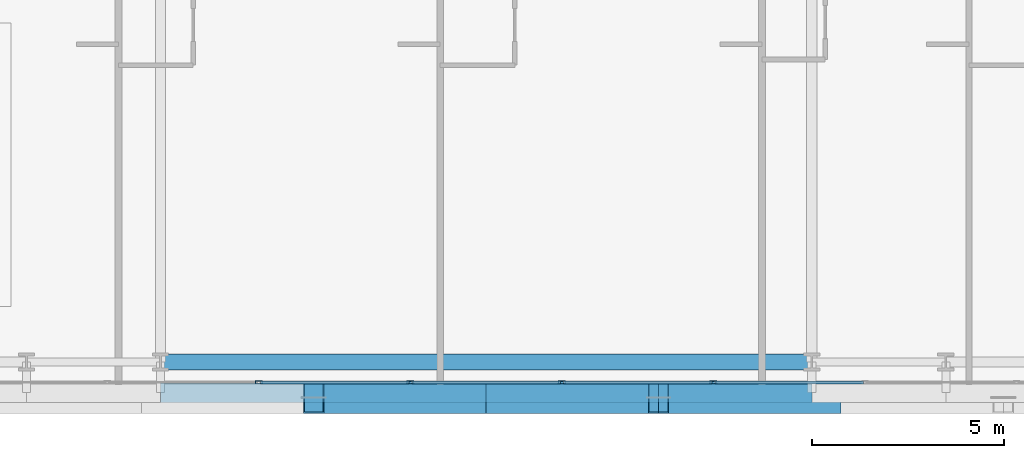
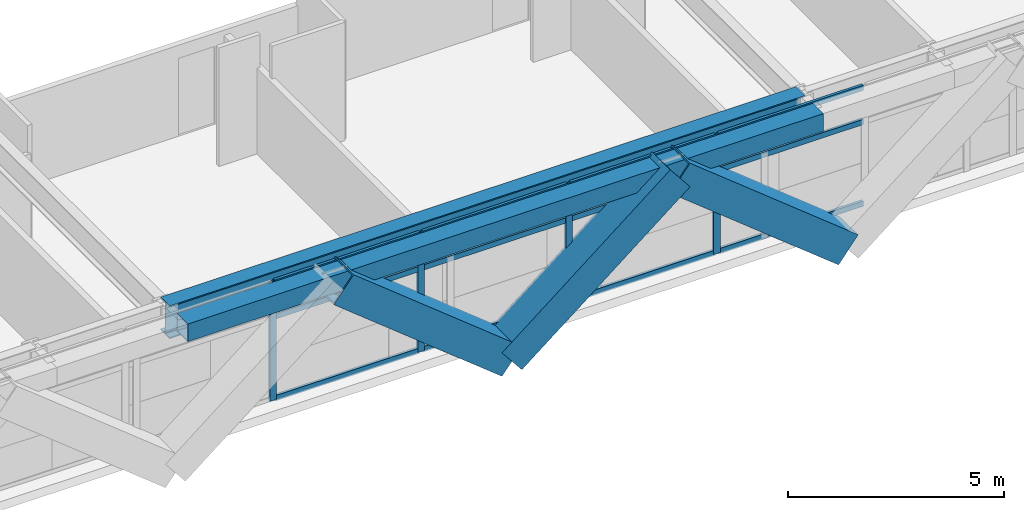
# One storey, part 5 of 35: 19 members, 2 beams, 1 element without a shape of its own.
"""IFC4 building model written with IfcOpenShell, lengths in metres."""

from ifc_helpers import new_model, si_unit, direction, frame, origin, origin_2d, place, context, subcontext, project, spatial, hollow_rectangle, i_section, extrude, source, transform, mapped, material, layer, layer_set, material_profile, profile_set, type_object, element, aggregate, save


model = new_model("IFC4")

# Units and contexts
model_context = context("Model", 3, precision=1e-05, world=origin(), true_north=direction((0.0, 1.0)))
body_context = subcontext(model_context, "Body", "Model", "MODEL_VIEW")
ifc_project = project(units=[si_unit("LENGTHUNIT", "METRE"), si_unit("AREAUNIT", "SQUARE_METRE"), si_unit("VOLUMEUNIT", "CUBIC_METRE"), si_unit("PLANEANGLEUNIT", "RADIAN"), si_unit("MASSUNIT", "GRAM", prefix="KILO")], contexts=[model_context])

# Site, building, storey
site_placement = place(None, origin())
site = spatial("IfcSite", under=ifc_project, at=site_placement, CompositionType="ELEMENT")
building_placement = place(site_placement, origin())
building = spatial("IfcBuilding", under=site, at=building_placement, Name="Ocotamira Hotel", CompositionType="ELEMENT")
storey_placement = place(building_placement, frame((0.0, 0.0, 63.60009765625)))
storey = spatial("IfcBuildingStorey", under=building, at=storey_placement, Name="L15", CompositionType="ELEMENT", Elevation=63.60009765625)

# Beams
ifc_material_1 = material(Name="Steel ASTM A992 Grade 50", Category="steel")
ifc_material_profile_1 = material_profile(ifc_material_1, i_section(OverallWidth=0.41796875, OverallDepth=0.927001953125, WebThickness=0.019287109375, FlangeThickness=0.031982421875, FilletRadius=0.02392578125, at=origin_2d()), Name="W36X231")
ifc_profile_set_1 = profile_set([ifc_material_profile_1], Name="Steel ASTM A992 Grade 50")
beam_type_1 = type_object("IfcBeamType", Name="BM-GIRD-W36X231", PredefinedType="BEAM", material=ifc_profile_set_1)
shared_shape_1 = source(origin(), body_context, "Body", "SweptSolid", [
    extrude(i_section(OverallWidth=0.41796875, OverallDepth=0.927001953125, WebThickness=0.019287109375, FlangeThickness=0.031982421875, FilletRadius=0.02392578125, at=origin_2d()), origin(), (0.0, 0.0, 1.0), 17.0),
])
beam_1_placement = place(storey_placement, frame((23.5, 2.949951171875, 2.886474609375), z_axis=(1.0, 0.0, 0.0), x_axis=(0.0, 1.0, 0.0)))
element("IfcBeam", 1, at=beam_1_placement, inside=storey, type_object=beam_type_1, Name="L15 Girder Y2.95 X23.5-40.5", PredefinedType="BEAM", context=body_context, shape_type="MappedRepresentation", body=[
    mapped(shared_shape_1, transform((0.0, 0.0, 0.0), scale=1.0)),
])
ifc_material_2 = material(Name="Steel ASTM A500 Grade C", Category="steel")
ifc_material_profile_2 = material_profile(ifc_material_2, hollow_rectangle(XDim=0.5, YDim=0.5, WallThickness=0.02001953125, at=origin_2d()), Name="HSS500X500X20")
ifc_profile_set_2 = profile_set([ifc_material_profile_2], Name="Steel ASTM A500 Grade C")
beam_type_2 = type_object("IfcBeamType", Name="BM-SPAN-HSS500", PredefinedType="USERDEFINED", material=ifc_profile_set_2)
shared_shape_2 = source(origin(), body_context, "Body", "SweptSolid", [
    extrude(hollow_rectangle(XDim=0.5, YDim=0.5, WallThickness=0.02001953125, at=origin_2d()), origin(), (0.0, 0.0, 1.0), 17.0),
])
beam_2_placement = place(storey_placement, frame((23.5, 2.14990234375, 3.099853515625), z_axis=(1.0, 0.0, 0.0), x_axis=(0.0, 1.0, 0.0)))
element("IfcBeam", 2, at=beam_2_placement, inside=storey, type_object=beam_type_2, Name="L15 Edge Spandrel S X23.5-40.5", ObjectType="SPANDREL", PredefinedType="USERDEFINED", context=body_context, shape_type="MappedRepresentation", body=[
    mapped(shared_shape_2, transform((0.0, 0.0, 0.0), scale=1.0)),
])

# Members
ifc_material_3 = material(Name="Pale-metal coated steel ASTM A913 Grade 65", Category="steel")
ifc_material_profile_3 = material_profile(ifc_material_3, hollow_rectangle(XDim=0.85009765625, YDim=0.85009765625, WallThickness=0.035888671875, at=origin_2d()), Name="BOX850X850X36")
ifc_profile_set_3 = profile_set([ifc_material_profile_3], Name="Pale-metal coated steel ASTM A913 Grade 65")
member_type_1 = type_object("IfcMemberType", Name="MEM-EXO-BOX850", PredefinedType="BRACE", material=ifc_profile_set_3)
shared_shape_3 = source(origin(), body_context, "Body", "SweptSolid", [
    extrude(hollow_rectangle(XDim=0.85009765625, YDim=0.85009765625, WallThickness=0.035888671875, at=origin_2d()), origin(), (0.0, 0.0, 1.0), 5.7626953125),
])
for number, where, z_axis, x_axis, name in (
    (3, (32.0, 2.030029296875, -0.5), (-0.780881208953, 0.0, 0.624679547852), (0.0, -1.0, 0.0), "L15 Exoskeleton Diagrid S1.2"),
    (4, (32.0, 2.030029296875, -0.5), (0.780881208953, 0.0, 0.624679547852), (0.0, 1.0, 0.0), "L15 Exoskeleton Diagrid S2.1"),
    (5, (41.0, 2.030029296875, -0.5), (-0.780881208953, 0.0, 0.624679547852), (0.0, -1.0, 0.0), "L15 Exoskeleton Diagrid S2.2"),
):
    element("IfcMember", number, at=place(storey_placement, frame(where, z_axis=z_axis, x_axis=x_axis)), inside=storey, type_object=member_type_1, Name=name, PredefinedType="BRACE", context=body_context, shape_type="MappedRepresentation", body=[
        mapped(shared_shape_3, transform((0.0, 0.0, 0.0), scale=1.0)),
    ])

# Curtain wall, members
ifc_material_4 = material(Name="Anodised pale-metal aluminium and solar glass", Category="aluminium")
ifc_layer = layer(ifc_material_4, 0.179931640625)
ifc_layer_set = layer_set([ifc_layer], Name="Anodised pale-metal aluminium and solar glass")
curtain_wall_type = type_object("IfcCurtainWallType", Name="CW-SYS2-Z1", PredefinedType="NOTDEFINED", material=ifc_layer_set)
curtain_wall_placement = place(storey_placement, origin())
curtain_wall = element("IfcCurtainWall", 6, at=curtain_wall_placement, inside=storey, type_object=curtain_wall_type, Name="L15 Curtain Wall CW-2 CW-L15-S1", PredefinedType="NOTDEFINED")
ifc_material_5 = material(Name="Anodised pale-metal aluminium 6063-T6", Category="aluminium")
ifc_material_profile_4 = material_profile(ifc_material_5, hollow_rectangle(XDim=0.080078125, YDim=0.179931640625, WallThickness=0.006103515625, at=origin_2d()), Name="HSS180X80X6")
ifc_profile_set_4 = profile_set([ifc_material_profile_4], Name="Anodised pale-metal aluminium 6063-T6")
member_type_2 = type_object("IfcMemberType", Name="CWM-180X75", PredefinedType="MULLION", material=ifc_profile_set_4)
shared_shape_4 = source(origin(), body_context, "Body", "SweptSolid", [
    extrude(hollow_rectangle(XDim=0.080078125, YDim=0.179931640625, WallThickness=0.006103515625, at=origin_2d()), origin(), (0.0, 0.0, 1.0), 3.349853515625),
])
member_1_placement = place(storey_placement, frame((26.066650390625, 2.419921875, 0.0), z_axis=(0.0, 0.0, 1.0), x_axis=(0.0, 1.0, 0.0)))
member_1 = element("IfcMember", 7, at=member_1_placement, type_object=member_type_2, Name="CW-2 mullion 4", PredefinedType="MULLION", context=body_context, shape_type="MappedRepresentation", body=[
    mapped(shared_shape_4, transform((0.0, 0.0, 0.0), scale=1.0)),
])
member_2_placement = place(storey_placement, frame((30.022216796875, 2.419921875, 0.0), z_axis=(0.0, 0.0, 1.0), x_axis=(0.0, 1.0, 0.0)))
member_2 = element("IfcMember", 8, at=member_2_placement, type_object=member_type_2, Name="CW-2 mullion 5", PredefinedType="MULLION", context=body_context, shape_type="MappedRepresentation", body=[
    mapped(shared_shape_4, transform((0.0, 0.0, 0.0), scale=1.0)),
])
member_3_placement = place(storey_placement, frame((33.977783203125, 2.419921875, 0.0), z_axis=(0.0, 0.0, 1.0), x_axis=(0.0, 1.0, 0.0)))
member_3 = element("IfcMember", 9, at=member_3_placement, type_object=member_type_2, Name="CW-2 mullion 6", PredefinedType="MULLION", context=body_context, shape_type="MappedRepresentation", body=[
    mapped(shared_shape_4, transform((0.0, 0.0, 0.0), scale=1.0)),
])
member_4_placement = place(storey_placement, frame((37.933349609375, 2.419921875, 0.0), z_axis=(0.0, 0.0, 1.0), x_axis=(0.0, 1.0, 0.0)))
member_4 = element("IfcMember", 10, at=member_4_placement, type_object=member_type_2, Name="CW-2 mullion 7", PredefinedType="MULLION", context=body_context, shape_type="MappedRepresentation", body=[
    mapped(shared_shape_4, transform((0.0, 0.0, 0.0), scale=1.0)),
])
ifc_material_profile_5 = material_profile(ifc_material_5, hollow_rectangle(XDim=0.074951171875, YDim=0.14990234375, WallThickness=0.006103515625, at=origin_2d()), Name="HSS150X75X6")
ifc_profile_set_5 = profile_set([ifc_material_profile_5], Name="Anodised pale-metal aluminium 6063-T6")
member_type_3 = type_object("IfcMemberType", Name="CWT-150X75", PredefinedType="USERDEFINED", material=ifc_profile_set_5)
shared_shape_5 = source(origin(), body_context, "Body", "SweptSolid", [
    extrude(hollow_rectangle(XDim=0.074951171875, YDim=0.14990234375, WallThickness=0.006103515625, at=origin_2d()), origin(), (0.0, 0.0, 1.0), 3.87548828125),
])
member_5_placement = place(storey_placement, frame((26.106689453125, 2.419921875, 0.037353515625), z_axis=(1.0, 0.0, 0.0), x_axis=(0.0, 1.0, 0.0)))
member_5 = element("IfcMember", 11, at=member_5_placement, type_object=member_type_3, Name="CW-2 transom 4.1", ObjectType="TRANSOM", PredefinedType="USERDEFINED", context=body_context, shape_type="MappedRepresentation", body=[
    mapped(shared_shape_5, transform((0.0, 0.0, 0.0), scale=1.0)),
])
member_6_placement = place(storey_placement, frame((26.106689453125, 2.419921875, 2.349853515625), z_axis=(1.0, 0.0, 0.0), x_axis=(0.0, 1.0, 0.0)))
member_6 = element("IfcMember", 12, at=member_6_placement, type_object=member_type_3, Name="CW-2 transom 4.2", ObjectType="TRANSOM", PredefinedType="USERDEFINED", context=body_context, shape_type="MappedRepresentation", body=[
    mapped(shared_shape_5, transform((0.0, 0.0, 0.0), scale=1.0)),
])
member_7_placement = place(storey_placement, frame((26.106689453125, 2.419921875, 3.3125), z_axis=(1.0, 0.0, 0.0), x_axis=(0.0, 1.0, 0.0)))
member_7 = element("IfcMember", 13, at=member_7_placement, type_object=member_type_3, Name="CW-2 transom 4.3", ObjectType="TRANSOM", PredefinedType="USERDEFINED", context=body_context, shape_type="MappedRepresentation", body=[
    mapped(shared_shape_5, transform((0.0, 0.0, 0.0), scale=1.0)),
])
member_8_placement = place(storey_placement, frame((30.062255859375, 2.419921875, 0.037353515625), z_axis=(1.0, 0.0, 0.0), x_axis=(0.0, 1.0, 0.0)))
member_8 = element("IfcMember", 14, at=member_8_placement, type_object=member_type_3, Name="CW-2 transom 5.1", ObjectType="TRANSOM", PredefinedType="USERDEFINED", context=body_context, shape_type="MappedRepresentation", body=[
    mapped(shared_shape_5, transform((0.0, 0.0, 0.0), scale=1.0)),
])
member_9_placement = place(storey_placement, frame((30.062255859375, 2.419921875, 2.349853515625), z_axis=(1.0, 0.0, 0.0), x_axis=(0.0, 1.0, 0.0)))
member_9 = element("IfcMember", 15, at=member_9_placement, type_object=member_type_3, Name="CW-2 transom 5.2", ObjectType="TRANSOM", PredefinedType="USERDEFINED", context=body_context, shape_type="MappedRepresentation", body=[
    mapped(shared_shape_5, transform((0.0, 0.0, 0.0), scale=1.0)),
])
member_10_placement = place(storey_placement, frame((30.062255859375, 2.419921875, 3.3125), z_axis=(1.0, 0.0, 0.0), x_axis=(0.0, 1.0, 0.0)))
member_10 = element("IfcMember", 16, at=member_10_placement, type_object=member_type_3, Name="CW-2 transom 5.3", ObjectType="TRANSOM", PredefinedType="USERDEFINED", context=body_context, shape_type="MappedRepresentation", body=[
    mapped(shared_shape_5, transform((0.0, 0.0, 0.0), scale=1.0)),
])
member_11_placement = place(storey_placement, frame((34.017822265625, 2.419921875, 0.037353515625), z_axis=(1.0, 0.0, 0.0), x_axis=(0.0, 1.0, 0.0)))
member_11 = element("IfcMember", 17, at=member_11_placement, type_object=member_type_3, Name="CW-2 transom 6.1", ObjectType="TRANSOM", PredefinedType="USERDEFINED", context=body_context, shape_type="MappedRepresentation", body=[
    mapped(shared_shape_5, transform((0.0, 0.0, 0.0), scale=1.0)),
])
member_12_placement = place(storey_placement, frame((34.017822265625, 2.419921875, 2.349853515625), z_axis=(1.0, 0.0, 0.0), x_axis=(0.0, 1.0, 0.0)))
member_12 = element("IfcMember", 18, at=member_12_placement, type_object=member_type_3, Name="CW-2 transom 6.2", ObjectType="TRANSOM", PredefinedType="USERDEFINED", context=body_context, shape_type="MappedRepresentation", body=[
    mapped(shared_shape_5, transform((0.0, 0.0, 0.0), scale=1.0)),
])
member_13_placement = place(storey_placement, frame((34.017822265625, 2.419921875, 3.3125), z_axis=(1.0, 0.0, 0.0), x_axis=(0.0, 1.0, 0.0)))
member_13 = element("IfcMember", 19, at=member_13_placement, type_object=member_type_3, Name="CW-2 transom 6.3", ObjectType="TRANSOM", PredefinedType="USERDEFINED", context=body_context, shape_type="MappedRepresentation", body=[
    mapped(shared_shape_5, transform((0.0, 0.0, 0.0), scale=1.0)),
])
member_14_placement = place(storey_placement, frame((37.973388671875, 2.419921875, 0.037353515625), z_axis=(1.0, 0.0, 0.0), x_axis=(0.0, 1.0, 0.0)))
member_14 = element("IfcMember", 20, at=member_14_placement, type_object=member_type_3, Name="CW-2 transom 7.1", ObjectType="TRANSOM", PredefinedType="USERDEFINED", context=body_context, shape_type="MappedRepresentation", body=[
    mapped(shared_shape_5, transform((0.0, 0.0, 0.0), scale=1.0)),
])
member_15_placement = place(storey_placement, frame((37.973388671875, 2.419921875, 2.349853515625), z_axis=(1.0, 0.0, 0.0), x_axis=(0.0, 1.0, 0.0)))
member_15 = element("IfcMember", 21, at=member_15_placement, type_object=member_type_3, Name="CW-2 transom 7.2", ObjectType="TRANSOM", PredefinedType="USERDEFINED", context=body_context, shape_type="MappedRepresentation", body=[
    mapped(shared_shape_5, transform((0.0, 0.0, 0.0), scale=1.0)),
])
member_16_placement = place(storey_placement, frame((37.973388671875, 2.419921875, 3.3125), z_axis=(1.0, 0.0, 0.0), x_axis=(0.0, 1.0, 0.0)))
member_16 = element("IfcMember", 22, at=member_16_placement, type_object=member_type_3, Name="CW-2 transom 7.3", ObjectType="TRANSOM", PredefinedType="USERDEFINED", context=body_context, shape_type="MappedRepresentation", body=[
    mapped(shared_shape_5, transform((0.0, 0.0, 0.0), scale=1.0)),
])
aggregate(curtain_wall, [member_1, member_2, member_3, member_4, member_5, member_6, member_7, member_8, member_9, member_10, member_11, member_12, member_13, member_14, member_15, member_16])

save(model, "model.ifc")
